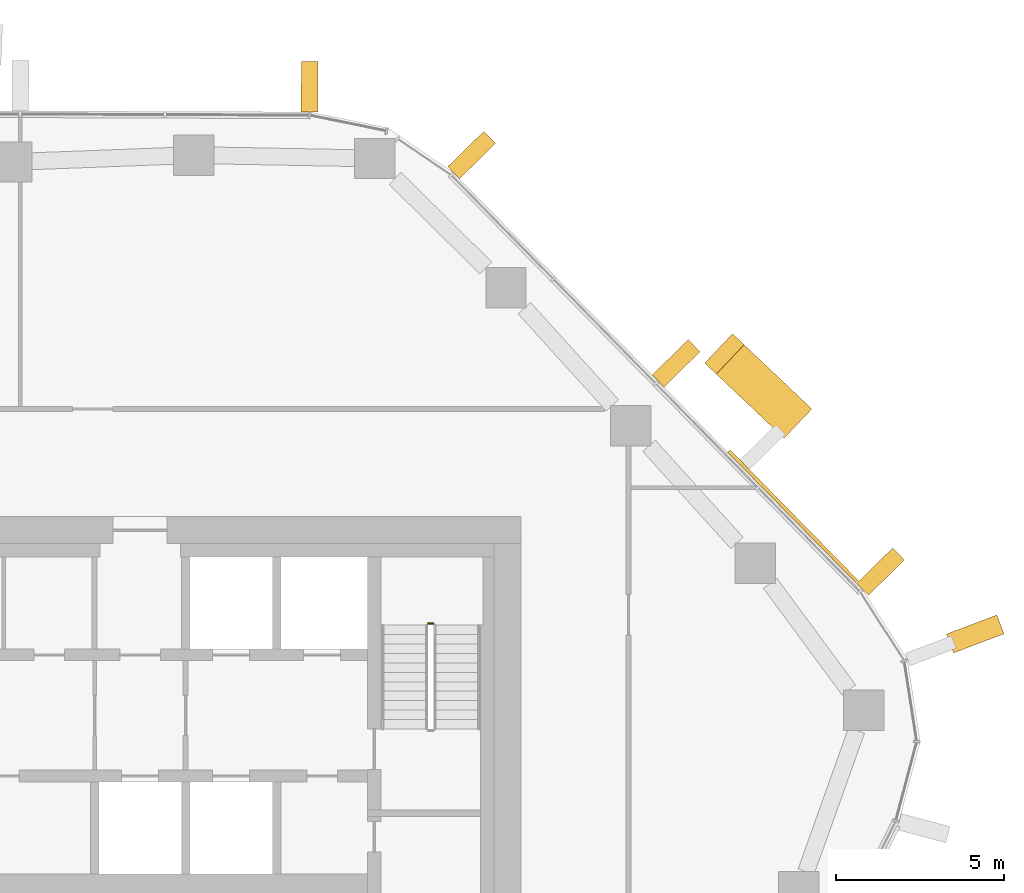
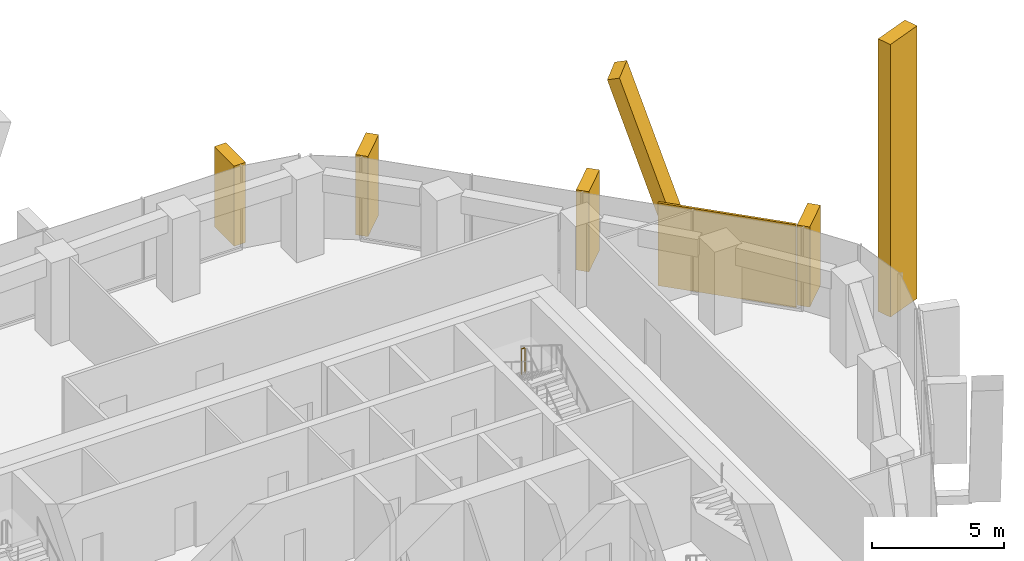
# One storey, part 19 of 19: 7 coverings, 1 railing, 3 elements without a shape of their own.
"""IFC4 building model written with IfcOpenShell, lengths in metres."""

from ifc_helpers import new_model, si_unit, direction, frame, origin, origin_2d, place, context, subcontext, project, spatial, rectangle, circle, extrude, material, layer, layer_set, material_profile, profile_set, type_object, element, aggregate, save


model = new_model("IFC4")

# Units and contexts
model_context = context("Model", 3, precision=1e-05, world=origin(), true_north=direction((0.0, 1.0)))
body_context = subcontext(model_context, "Body", "Model", "MODEL_VIEW")
ifc_project = project(units=[si_unit("LENGTHUNIT", "METRE"), si_unit("AREAUNIT", "SQUARE_METRE"), si_unit("VOLUMEUNIT", "CUBIC_METRE"), si_unit("PLANEANGLEUNIT", "RADIAN"), si_unit("MASSUNIT", "GRAM", prefix="KILO")], contexts=[model_context])

# Site, building, storey
site_placement = place(None, origin())
site = spatial("IfcSite", under=ifc_project, at=site_placement, CompositionType="ELEMENT")
building_placement = place(site_placement, origin())
building = spatial("IfcBuilding", under=site, at=building_placement, Name="Dongbaek Canopy Tower", CompositionType="ELEMENT")
storey_placement = place(building_placement, frame((0.0, 0.0, 198.800048828125)))
storey = spatial("IfcBuildingStorey", under=building, at=storey_placement, Name="L41", CompositionType="ELEMENT", Elevation=198.800048828125)

# Curtain wall, covering
ifc_material_1 = material(Name="Aluminium 6063-T6 pale anodised", Category="aluminium")
ifc_layer_1 = layer(ifc_material_1, 0.199951171875)
ifc_layer_set_1 = layer_set([ifc_layer_1], Name="CW-1 unitised tower curtain wall")
curtain_wall_type = type_object("IfcCurtainWallType", Name="CW-1 unitised tower curtain wall", PredefinedType="NOTDEFINED", material=ifc_layer_set_1)
curtain_wall_1_placement = place(storey_placement, origin())
curtain_wall_1 = element("IfcCurtainWall", 1, at=curtain_wall_1_placement, inside=storey, type_object=curtain_wall_type, Name="CW-1 curtain wall K0.1", PredefinedType="NOTDEFINED")
ifc_material_2 = material(Name="Aluminium 6063-T6 pale metal fin", Category="aluminium")
ifc_material_profile_1 = material_profile(ifc_material_2, rectangle(XDim=1.60009765625, YDim=0.60009765625, at=origin_2d()), Name="Corner fin CN1 600 x 1600 pale metal")
ifc_profile_set_1 = profile_set([ifc_material_profile_1], Name="Aluminium 6063-T6 pale metal fin")
covering_type_1 = type_object("IfcCoveringType", Name="Corner fin CN1 600 x 1600 pale metal", PredefinedType="CLADDING", material=ifc_profile_set_1)
covering_1_placement = place(storey_placement, frame((27.488037109375, 7.51953125, -0.18994140625), z_axis=(0.0, 0.0, 1.0), x_axis=(0.935235345737, 0.354026620588, 0.0)))
covering_1 = element("IfcCovering", 2, at=covering_1_placement, type_object=covering_type_1, Name="Corner fin L41 L43 K0", PredefinedType="CLADDING", context=body_context, shape_type="SweptSolid", body=[
    extrude(rectangle(XDim=1.60009765625, YDim=0.60009765625, at=origin_2d()), origin(), (0.0, 0.0, 1.0), 12.579833984375),
])
aggregate(curtain_wall_1, [covering_1])

# Curtain wall, coverings
curtain_wall_2_placement = place(storey_placement, origin())
curtain_wall_2 = element("IfcCurtainWall", 3, at=curtain_wall_2_placement, inside=storey, type_object=curtain_wall_type, Name="CW-1 curtain wall F0.1", PredefinedType="NOTDEFINED")
ifc_material_3 = material(Name="Aluminium 6063-T6 pale metal fin", Category="aluminium")
ifc_material_profile_2 = material_profile(ifc_material_3, rectangle(XDim=1.199951171875, YDim=0.5, at=origin_2d()), Name="Crease fin CF1 500 x 1200 pale metal")
ifc_profile_set_2 = profile_set([ifc_material_profile_2], Name="Aluminium 6063-T6 pale metal fin")
covering_type_2 = type_object("IfcCoveringType", Name="Crease fin CF1 500 x 1200 pale metal", PredefinedType="CLADDING", material=ifc_profile_set_2)
covering_2_placement = place(storey_placement, frame((22.05419921875, 13.92724609375, -0.18994140625), z_axis=(-0.227431180063, 0.215562805375, 0.949635580248), x_axis=(-0.687915648166, -0.72579064544, 0.0)))
covering_2 = element("IfcCovering", 4, at=covering_2_placement, type_object=covering_type_2, Name="Crease fin L41 L43 F0", PredefinedType="CLADDING", context=body_context, shape_type="SweptSolid", body=[
    extrude(rectangle(XDim=1.199951171875, YDim=0.5, at=origin_2d()), origin(), (0.0, 0.0, 1.0), 8.845458984375),
])
ifc_material_4 = material(Name="Perforated aluminium 6063-T6 pale metal screen", Category="aluminium")
ifc_layer_2 = layer(ifc_material_4, 0.10009765625)
ifc_layer_set_2 = layer_set([ifc_layer_2], Name="Facet screen FS1 100 pale metal")
covering_type_3 = type_object("IfcCoveringType", Name="Facet screen FS1 100 pale metal", PredefinedType="CLADDING", material=ifc_layer_set_2)
covering_3_placement = place(storey_placement, frame((22.07421875, 11.01611328125, 0.0), z_axis=(0.0, 0.0, 1.0), x_axis=(-0.700367549606, 0.713782386627, 0.0)))
covering_3 = element("IfcCovering", 5, at=covering_3_placement, type_object=covering_type_3, Name="Facet screen L41 F0", PredefinedType="CLADDING", context=body_context, shape_type="SweptSolid", body=[
    extrude(rectangle(XDim=5.4169921875, YDim=0.10009765625, at=origin_2d()), origin(), (0.0, 0.0, 1.0), 3.820068359375),
])
ifc_material_5 = material(Name="Aluminium 6063-T6 pale metal fin", Category="aluminium")
ifc_material_profile_3 = material_profile(ifc_material_5, rectangle(XDim=1.5, YDim=0.5, at=origin_2d()), Name="Fin FN1 500 x 1500 pale metal")
ifc_profile_set_3 = profile_set([ifc_material_profile_3], Name="Aluminium 6063-T6 pale metal fin")
covering_type_4 = type_object("IfcCoveringType", Name="Fin FN1 500 x 1500 pale metal", PredefinedType="CLADDING", material=ifc_profile_set_3)
covering_4_placement = place(storey_placement, frame((24.6767578125, 9.369140625, 0.119873046875), z_axis=(0.0, 0.0, 1.0), x_axis=(0.713782398301, 0.700367537709, 0.0)))
covering_4 = element("IfcCovering", 6, at=covering_4_placement, type_object=covering_type_4, Name="Fin F0.1.1", PredefinedType="CLADDING", context=body_context, shape_type="SweptSolid", body=[
    extrude(rectangle(XDim=1.5, YDim=0.5, at=origin_2d()), origin(), (0.0, 0.0, 1.0), 3.7001953125),
])
covering_5_placement = place(storey_placement, frame((18.60888671875, 15.552978515625, 0.119873046875), z_axis=(0.0, 0.0, 1.0), x_axis=(0.713782398301, 0.700367537709, 0.0)))
covering_5 = element("IfcCovering", 7, at=covering_5_placement, type_object=covering_type_4, Name="Fin F0.1.3", PredefinedType="CLADDING", context=body_context, shape_type="SweptSolid", body=[
    extrude(rectangle(XDim=1.5, YDim=0.5, at=origin_2d()), origin(), (0.0, 0.0, 1.0), 3.7001953125),
])
covering_6_placement = place(storey_placement, frame((12.540771484375, 21.7373046875, 0.119873046875), z_axis=(0.0, 0.0, 1.0), x_axis=(0.713782398301, 0.700367537709, 0.0)))
covering_6 = element("IfcCovering", 8, at=covering_6_placement, type_object=covering_type_4, Name="Fin F0.1.5", PredefinedType="CLADDING", context=body_context, shape_type="SweptSolid", body=[
    extrude(rectangle(XDim=1.5, YDim=0.5, at=origin_2d()), origin(), (0.0, 0.0, 1.0), 3.7001953125),
])
aggregate(curtain_wall_2, [covering_4, covering_5, covering_6, covering_2, covering_3])

# Curtain wall, covering
curtain_wall_3_placement = place(storey_placement, origin())
curtain_wall_3 = element("IfcCurtainWall", 9, at=curtain_wall_3_placement, inside=storey, type_object=curtain_wall_type, Name="CW-1 curtain wall F1.1", PredefinedType="NOTDEFINED")
covering_7_placement = place(storey_placement, frame((7.730712890625, 23.766845703125, 0.119873046875), z_axis=(0.0, 0.0, 1.0), x_axis=(0.003675442583, 0.999993245538, 0.0)))
covering_7 = element("IfcCovering", 10, at=covering_7_placement, type_object=covering_type_4, Name="Fin F1.1.1", PredefinedType="CLADDING", context=body_context, shape_type="SweptSolid", body=[
    extrude(rectangle(XDim=1.5, YDim=0.5, at=origin_2d()), origin(), (0.0, 0.0, 1.0), 3.7001953125),
])
aggregate(curtain_wall_3, [covering_7])

# Railing
ifc_material_6 = material(Name="Stainless steel tube and balusters", Category="steel")
railing_type = type_object("IfcRailingType", Name="Stair guard 1200", PredefinedType="GUARDRAIL", material=ifc_material_6)
railing_placement = place(storey_placement, frame((11.39990234375, 7.830078125, 2.099853515625)))
element("IfcRailing", 11, at=railing_placement, inside=storey, type_object=railing_type, Name="L41 ST-A stair guard 2", PredefinedType="GUARDRAIL", context=body_context, shape_type="SweptSolid", body=[
    extrude(circle(Radius=0.02392578125, at=origin_2d()), frame((0.0, 0.0, 1.17578125), z_axis=(-1.0, 0.0, 0.0), x_axis=(0.0, -1.0, 0.0)), (0.0, 0.0, 1.0), 0.14990234375),
    extrude(circle(Radius=0.02099609375, at=origin_2d()), origin(), (0.0, 0.0, 1.0), 1.15185546875),
    extrude(circle(Radius=0.02099609375, at=origin_2d()), frame((-0.14990234375, 0.0, 0.0)), (0.0, 0.0, 1.0), 1.15185546875),
])

save(model, "model.ifc")
